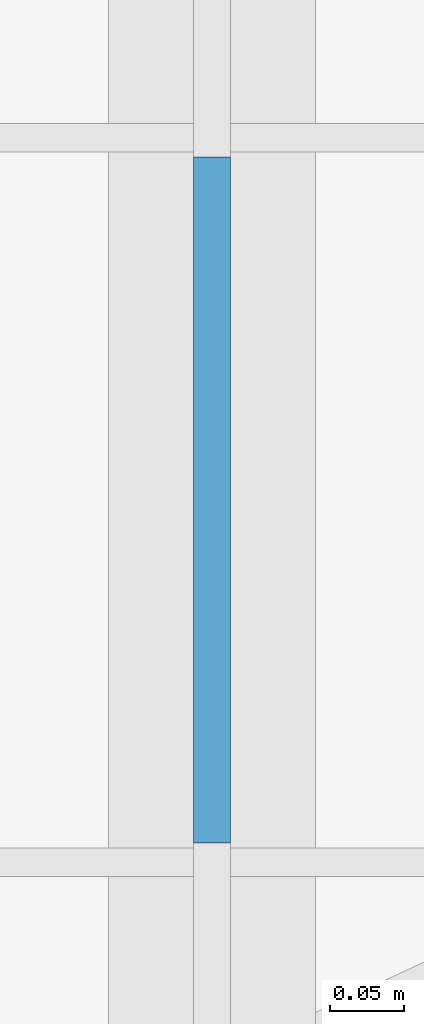
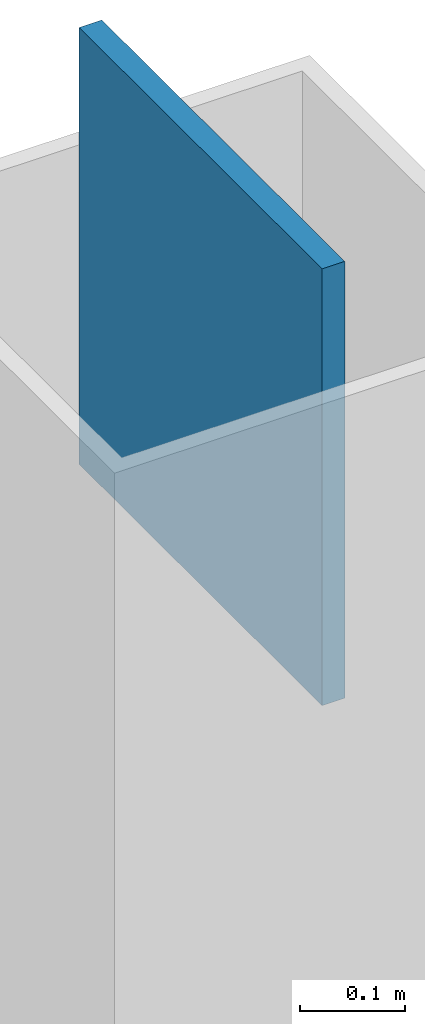
# One storey, part 9 of 11: 1 discrete accessory.
"""IFC4 building model written with IfcOpenShell, lengths in metres."""

from ifc_helpers import new_model, si_unit, direction, frame, origin, origin_2d, place, context, subcontext, project, spatial, rectangle, extrude, material, type_object, element, save


model = new_model("IFC4")

# Units and contexts
model_context = context("Model", 3, precision=1e-05, world=origin(), true_north=direction((0.0, 1.0)))
body_context = subcontext(model_context, "Body", "Model", "MODEL_VIEW")
ifc_project = project(units=[si_unit("LENGTHUNIT", "METRE"), si_unit("AREAUNIT", "SQUARE_METRE"), si_unit("VOLUMEUNIT", "CUBIC_METRE"), si_unit("PLANEANGLEUNIT", "RADIAN"), si_unit("MASSUNIT", "GRAM", prefix="KILO")], contexts=[model_context])

# Site, building, storey
site_placement = place(None, origin())
site = spatial("IfcSite", under=ifc_project, at=site_placement, CompositionType="ELEMENT")
building_placement = place(site_placement, origin())
building = spatial("IfcBuilding", under=site, at=building_placement, Name="Calabash Gate Tower", CompositionType="ELEMENT")
storey_placement = place(building_placement, frame((0.0, 0.0, 310.5)))
storey = spatial("IfcBuildingStorey", under=building, at=storey_placement, Name="L73", CompositionType="ELEMENT", Elevation=310.5)

# Discrete accessory
ifc_material = material(Name="Steel ASTM A572 Gr50", Category="steel")
discrete_accessory_type = type_object("IfcDiscreteAccessoryType", Name="Connection plate 25", PredefinedType="BRACKET", material=ifc_material)
discrete_accessory_placement = place(storey_placement, frame((31.5, 21.068115234375, 40.79736328125), z_axis=(0.0, 0.0, 1.0), x_axis=(0.0, 1.0, 0.0)))
element("IfcDiscreteAccessory", 1, at=discrete_accessory_placement, inside=storey, type_object=discrete_accessory_type, Name="Connection plate Roof post 15 end", PredefinedType="BRACKET", context=body_context, shape_type="SweptSolid", body=[
    extrude(rectangle(XDim=0.462890625, YDim=0.02490234375, at=origin_2d()), origin(), (0.0, 0.0, 1.0), 0.508056640625),
])

save(model, "model.ifc")
